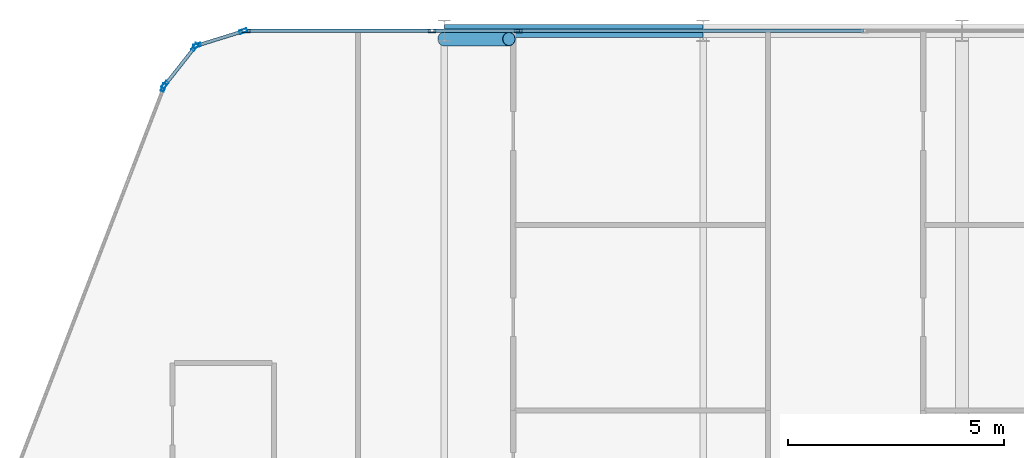
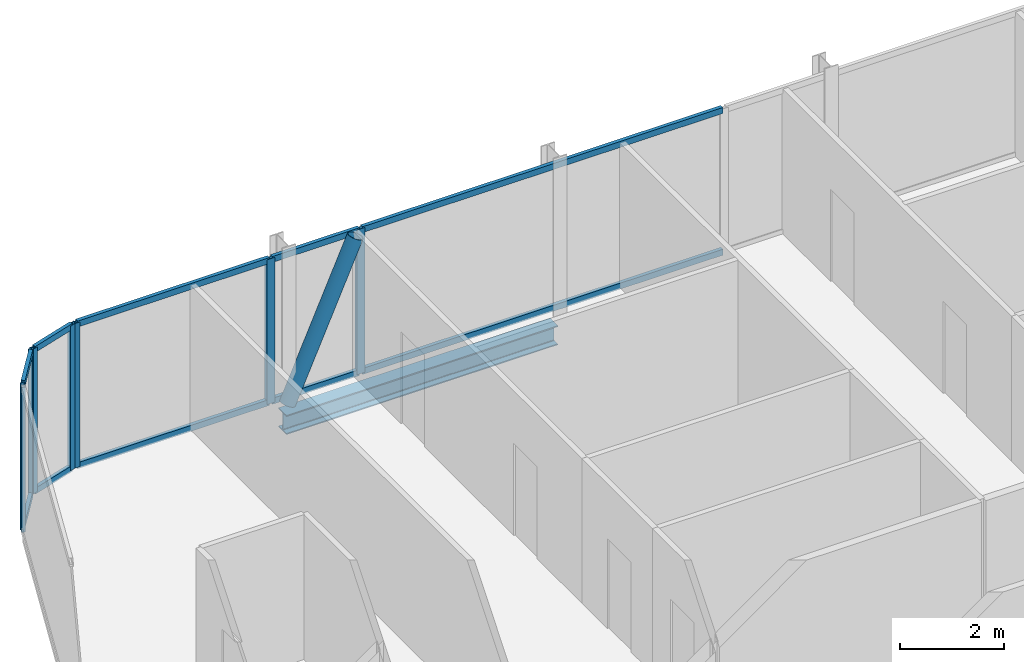
# One storey, part 17 of 32: 19 members, 1 beam, 6 elements without a shape of their own.
"""IFC4 building model written with IfcOpenShell, lengths in metres."""

from ifc_helpers import new_model, si_unit, direction, frame, origin, origin_2d, place, context, subcontext, project, spatial, hollow_rectangle, hollow_circle, i_section, extrude, material, layer, layer_set, material_profile, profile_set, type_object, element, aggregate, save


model = new_model("IFC4")

# Units and contexts
model_context = context("Model", 3, precision=1e-05, world=origin(), true_north=direction((0.0, 1.0)))
body_context = subcontext(model_context, "Body", "Model", "MODEL_VIEW")
ifc_project = project(units=[si_unit("LENGTHUNIT", "METRE"), si_unit("AREAUNIT", "SQUARE_METRE"), si_unit("VOLUMEUNIT", "CUBIC_METRE"), si_unit("PLANEANGLEUNIT", "RADIAN"), si_unit("MASSUNIT", "GRAM", prefix="KILO")], contexts=[model_context])

# Site, building, storey
site_placement = place(None, origin())
site = spatial("IfcSite", under=ifc_project, at=site_placement, CompositionType="ELEMENT")
building_placement = place(site_placement, origin())
building = spatial("IfcBuilding", under=site, at=building_placement, Name="Keshet Zoharim Tower", CompositionType="ELEMENT")
storey_placement = place(building_placement, frame((0.0, 0.0, 152.0)))
storey = spatial("IfcBuildingStorey", under=building, at=storey_placement, Name="L37", CompositionType="ELEMENT", Elevation=152.0)

# Beam
ifc_material_1 = material(Name="Steel S355", Category="steel")
ifc_material_profile_1 = material_profile(ifc_material_1, i_section(OverallWidth=0.300048828125, OverallDepth=0.449951171875, WebThickness=0.013916015625, FlangeThickness=0.02587890625, FilletRadius=0.027099609375, at=origin_2d()), Name="HEB450")
ifc_profile_set_1 = profile_set([ifc_material_profile_1], Name="Steel S355")
beam_type = type_object("IfcBeamType", Name="BM-WEB-HB450", PredefinedType="BEAM", material=ifc_profile_set_1)
beam_placement = place(storey_placement, frame((21.0, 53.89990234375, -0.5400390625), z_axis=(1.0, 0.0, 0.0), x_axis=(0.0, 1.0, 0.0)))
element("IfcBeam", 1, at=beam_placement, inside=storey, type_object=beam_type, Name="L37 Primary Girder X-020", PredefinedType="BEAM", context=body_context, shape_type="SweptSolid", body=[
    extrude(i_section(OverallWidth=0.300048828125, OverallDepth=0.449951171875, WebThickness=0.013916015625, FlangeThickness=0.02587890625, FilletRadius=0.027099609375, at=origin_2d()), origin(), (0.0, 0.0, 1.0), 6.0),
])

# Curtain wall, member
ifc_material_2 = material(Name="Aluminium 6063-T6", Category="aluminium")
ifc_layer = layer(ifc_material_2, 0.159912109375)
ifc_layer_set = layer_set([ifc_layer], Name="Aluminium 6063-T6")
curtain_wall_type = type_object("IfcCurtainWallType", Name="CW-SYS-03", PredefinedType="NOTDEFINED", material=ifc_layer_set)
curtain_wall_1_placement = place(storey_placement, origin())
curtain_wall_1 = element("IfcCurtainWall", 2, at=curtain_wall_1_placement, inside=storey, type_object=curtain_wall_type, Name="L37 Unitised Curtain Wall 10", PredefinedType="NOTDEFINED")
ifc_material_profile_2 = material_profile(ifc_material_2, hollow_rectangle(XDim=0.080078125, YDim=0.179931640625, WallThickness=0.00439453125, at=origin_2d()), Name="MUL-80x180")
ifc_profile_set_2 = profile_set([ifc_material_profile_2], Name="Aluminium 6063-T6")
member_type_1 = type_object("IfcMemberType", Name="CWM-M18", PredefinedType="MULLION", material=ifc_profile_set_2)
member_1_placement = place(storey_placement, frame((14.494384765625, 52.58544921875, 0.0), z_axis=(0.0, 0.0, 1.0), x_axis=(-0.933341404361, 0.358990003907, 0.0)))
member_1 = element("IfcMember", 3, at=member_1_placement, type_object=member_type_1, Name="CW-03 mullion 4", PredefinedType="MULLION", context=body_context, shape_type="SweptSolid", body=[
    extrude(hollow_rectangle(XDim=0.080078125, YDim=0.179931640625, WallThickness=0.00439453125, at=origin_2d()), origin(), (0.0, 0.0, 1.0), 3.385009765625),
])
aggregate(curtain_wall_1, [member_1])

# Curtain wall, members
curtain_wall_2_placement = place(storey_placement, origin())
curtain_wall_2 = element("IfcCurtainWall", 4, at=curtain_wall_2_placement, inside=storey, type_object=curtain_wall_type, Name="L37 Unitised Curtain Wall 11", PredefinedType="NOTDEFINED")
member_2_placement = place(storey_placement, frame((14.528564453125, 52.6455078125, 0.0), z_axis=(0.0, 0.0, 1.0), x_axis=(-0.785292825205, 0.619124525989, 0.0)))
member_2 = element("IfcMember", 5, at=member_2_placement, type_object=member_type_1, Name="CW-03 mullion 1", PredefinedType="MULLION", context=body_context, shape_type="SweptSolid", body=[
    extrude(hollow_rectangle(XDim=0.080078125, YDim=0.179931640625, WallThickness=0.00439453125, at=origin_2d()), origin(), (0.0, 0.0, 1.0), 3.385009765625),
])
member_3_placement = place(storey_placement, frame((15.21923828125, 53.521484375, 0.0), z_axis=(0.0, 0.0, 1.0), x_axis=(-0.785292825205, 0.619124525989, 0.0)))
member_3 = element("IfcMember", 6, at=member_3_placement, type_object=member_type_1, Name="CW-03 mullion 2", PredefinedType="MULLION", context=body_context, shape_type="SweptSolid", body=[
    extrude(hollow_rectangle(XDim=0.080078125, YDim=0.179931640625, WallThickness=0.00439453125, at=origin_2d()), origin(), (0.0, 0.0, 1.0), 3.385009765625),
])

curtain_wall_3_placement = place(storey_placement, origin())
curtain_wall_3 = element("IfcCurtainWall", 7, at=curtain_wall_3_placement, inside=storey, type_object=curtain_wall_type, Name="L37 Unitised Curtain Wall 12", PredefinedType="NOTDEFINED")
member_4_placement = place(storey_placement, frame((15.2744140625, 53.559326171875, 0.0), z_axis=(0.0, 0.0, 1.0), x_axis=(-0.295921857984, 0.955212151288, 0.0)))
member_4 = element("IfcMember", 8, at=member_4_placement, type_object=member_type_1, Name="CW-03 mullion 1", PredefinedType="MULLION", context=body_context, shape_type="SweptSolid", body=[
    extrude(hollow_rectangle(XDim=0.080078125, YDim=0.179931640625, WallThickness=0.00439453125, at=origin_2d()), origin(), (0.0, 0.0, 1.0), 3.385009765625),
])
member_5_placement = place(storey_placement, frame((16.340576171875, 53.8896484375, 0.0), z_axis=(0.0, 0.0, 1.0), x_axis=(-0.295921857984, 0.955212151288, 0.0)))
member_5 = element("IfcMember", 9, at=member_5_placement, type_object=member_type_1, Name="CW-03 mullion 2", PredefinedType="MULLION", context=body_context, shape_type="SweptSolid", body=[
    extrude(hollow_rectangle(XDim=0.080078125, YDim=0.179931640625, WallThickness=0.00439453125, at=origin_2d()), origin(), (0.0, 0.0, 1.0), 3.385009765625),
])

curtain_wall_4_placement = place(storey_placement, origin())
curtain_wall_4 = element("IfcCurtainWall", 10, at=curtain_wall_4_placement, inside=storey, type_object=curtain_wall_type, Name="L37 Unitised Curtain Wall 13", PredefinedType="NOTDEFINED")
member_6_placement = place(storey_placement, frame((16.408935546875, 53.89990234375, 0.0), z_axis=(0.0, 0.0, 1.0), x_axis=(0.0, 1.0, 0.0)))
member_6 = element("IfcMember", 11, at=member_6_placement, type_object=member_type_1, Name="CW-03 mullion 1", PredefinedType="MULLION", context=body_context, shape_type="SweptSolid", body=[
    extrude(hollow_rectangle(XDim=0.080078125, YDim=0.179931640625, WallThickness=0.00439453125, at=origin_2d()), origin(), (0.0, 0.0, 1.0), 3.385009765625),
])
member_7_placement = place(storey_placement, frame((20.716796875, 53.89990234375, 0.0), z_axis=(0.0, 0.0, 1.0), x_axis=(0.0, 1.0, 0.0)))
member_7 = element("IfcMember", 12, at=member_7_placement, type_object=member_type_1, Name="CW-03 mullion 2", PredefinedType="MULLION", context=body_context, shape_type="SweptSolid", body=[
    extrude(hollow_rectangle(XDim=0.080078125, YDim=0.179931640625, WallThickness=0.00439453125, at=origin_2d()), origin(), (0.0, 0.0, 1.0), 3.385009765625),
])

# Curtain wall, member
curtain_wall_5_placement = place(storey_placement, origin())
curtain_wall_5 = element("IfcCurtainWall", 13, at=curtain_wall_5_placement, inside=storey, type_object=curtain_wall_type, Name="L37 Unitised Curtain Wall 13 Part 2", PredefinedType="NOTDEFINED")
member_8_placement = place(storey_placement, frame((22.713134765625, 53.89990234375, 0.0), z_axis=(0.0, 0.0, 1.0), x_axis=(0.0, 1.0, 0.0)))
member_8 = element("IfcMember", 14, at=member_8_placement, type_object=member_type_1, Name="CW-03 mullion 2", PredefinedType="MULLION", context=body_context, shape_type="SweptSolid", body=[
    extrude(hollow_rectangle(XDim=0.080078125, YDim=0.179931640625, WallThickness=0.00439453125, at=origin_2d()), origin(), (0.0, 0.0, 1.0), 3.385009765625),
])

# Member
ifc_material_profile_3 = material_profile(ifc_material_2, hollow_rectangle(XDim=0.080078125, YDim=0.139892578125, WallThickness=0.00390625, at=origin_2d()), Name="TRN-80x140")
ifc_profile_set_3 = profile_set([ifc_material_profile_3], Name="Aluminium 6063-T6")
member_type_2 = type_object("IfcMemberType", Name="CWT-T14", PredefinedType="USERDEFINED", material=ifc_profile_set_3)
member_9_placement = place(storey_placement, frame((14.55029296875, 52.6728515625, 0.034912109375), z_axis=(0.619099165969, 0.78531281837, 0.0), x_axis=(-0.78531281837, 0.619099165969, 0.0)))
member_9 = element("IfcMember", 15, at=member_9_placement, type_object=member_type_2, Name="CW-03 transom 1.1", ObjectType="TRANSOM", PredefinedType="USERDEFINED", context=body_context, shape_type="SweptSolid", body=[
    extrude(hollow_rectangle(XDim=0.080078125, YDim=0.139892578125, WallThickness=0.00390625, at=origin_2d()), origin(), (0.0, 0.0, 1.0), 1.0458984375),
])

member_10_placement = place(storey_placement, frame((14.55029296875, 52.6728515625, 3.35009765625), z_axis=(0.619099165969, 0.78531281837, 0.0), x_axis=(-0.78531281837, 0.619099165969, 0.0)))
member_10 = element("IfcMember", 16, at=member_10_placement, type_object=member_type_2, Name="CW-03 transom 1.2", ObjectType="TRANSOM", PredefinedType="USERDEFINED", context=body_context, shape_type="SweptSolid", body=[
    extrude(hollow_rectangle(XDim=0.080078125, YDim=0.139892578125, WallThickness=0.00390625, at=origin_2d()), origin(), (0.0, 0.0, 1.0), 1.0458984375),
])

aggregate(curtain_wall_2, [member_2, member_3, member_9, member_10])

member_11_placement = place(storey_placement, frame((15.307861328125, 53.56982421875, 0.034912109375), z_axis=(0.955212093062, 0.295922045933, 0.0), x_axis=(-0.295922045933, 0.955212093062, 0.0)))
member_11 = element("IfcMember", 17, at=member_11_placement, type_object=member_type_2, Name="CW-03 transom 1.1", ObjectType="TRANSOM", PredefinedType="USERDEFINED", context=body_context, shape_type="SweptSolid", body=[
    extrude(hollow_rectangle(XDim=0.080078125, YDim=0.139892578125, WallThickness=0.00390625, at=origin_2d()), origin(), (0.0, 0.0, 1.0), 1.046142578125),
])

member_12_placement = place(storey_placement, frame((15.307861328125, 53.56982421875, 3.35009765625), z_axis=(0.955212093062, 0.295922045933, 0.0), x_axis=(-0.295922045933, 0.955212093062, 0.0)))
member_12 = element("IfcMember", 18, at=member_12_placement, type_object=member_type_2, Name="CW-03 transom 1.2", ObjectType="TRANSOM", PredefinedType="USERDEFINED", context=body_context, shape_type="SweptSolid", body=[
    extrude(hollow_rectangle(XDim=0.080078125, YDim=0.139892578125, WallThickness=0.00390625, at=origin_2d()), origin(), (0.0, 0.0, 1.0), 1.046142578125),
])

aggregate(curtain_wall_3, [member_4, member_5, member_11, member_12])

member_13_placement = place(storey_placement, frame((16.444091796875, 53.89990234375, 0.034912109375), z_axis=(1.0, 0.0, 0.0), x_axis=(0.0, 1.0, 0.0)))
member_13 = element("IfcMember", 19, at=member_13_placement, type_object=member_type_2, Name="CW-03 transom 1.1", ObjectType="TRANSOM", PredefinedType="USERDEFINED", context=body_context, shape_type="SweptSolid", body=[
    extrude(hollow_rectangle(XDim=0.080078125, YDim=0.139892578125, WallThickness=0.00390625, at=origin_2d()), origin(), (0.0, 0.0, 1.0), 4.23779296875),
])

member_14_placement = place(storey_placement, frame((16.444091796875, 53.89990234375, 3.35009765625), z_axis=(1.0, 0.0, 0.0), x_axis=(0.0, 1.0, 0.0)))
member_14 = element("IfcMember", 20, at=member_14_placement, type_object=member_type_2, Name="CW-03 transom 1.2", ObjectType="TRANSOM", PredefinedType="USERDEFINED", context=body_context, shape_type="SweptSolid", body=[
    extrude(hollow_rectangle(XDim=0.080078125, YDim=0.139892578125, WallThickness=0.00390625, at=origin_2d()), origin(), (0.0, 0.0, 1.0), 4.23779296875),
])

aggregate(curtain_wall_4, [member_6, member_7, member_13, member_14])

member_15_placement = place(storey_placement, frame((20.751953125, 53.89990234375, 0.034912109375), z_axis=(1.0, 0.0, 0.0), x_axis=(0.0, 1.0, 0.0)))
member_15 = element("IfcMember", 21, at=member_15_placement, type_object=member_type_2, Name="CW-03 transom 1.1", ObjectType="TRANSOM", PredefinedType="USERDEFINED", context=body_context, shape_type="SweptSolid", body=[
    extrude(hollow_rectangle(XDim=0.080078125, YDim=0.139892578125, WallThickness=0.00390625, at=origin_2d()), origin(), (0.0, 0.0, 1.0), 1.926025390625),
])

member_16_placement = place(storey_placement, frame((20.751953125, 53.89990234375, 3.35009765625), z_axis=(1.0, 0.0, 0.0), x_axis=(0.0, 1.0, 0.0)))
member_16 = element("IfcMember", 22, at=member_16_placement, type_object=member_type_2, Name="CW-03 transom 1.2", ObjectType="TRANSOM", PredefinedType="USERDEFINED", context=body_context, shape_type="SweptSolid", body=[
    extrude(hollow_rectangle(XDim=0.080078125, YDim=0.139892578125, WallThickness=0.00390625, at=origin_2d()), origin(), (0.0, 0.0, 1.0), 1.926025390625),
])

aggregate(curtain_wall_5, [member_8, member_15, member_16])

# Curtain wall, members
curtain_wall_6_placement = place(storey_placement, origin())
curtain_wall_6 = element("IfcCurtainWall", 23, at=curtain_wall_6_placement, inside=storey, type_object=curtain_wall_type, Name="L37 Unitised Curtain Wall 13 Part 3", PredefinedType="NOTDEFINED")
member_17_placement = place(storey_placement, frame((22.748046875, 53.89990234375, 0.034912109375), z_axis=(1.0, 0.0, 0.0), x_axis=(0.0, 1.0, 0.0)))
member_17 = element("IfcMember", 24, at=member_17_placement, type_object=member_type_2, Name="CW-03 transom 1.1", ObjectType="TRANSOM", PredefinedType="USERDEFINED", context=body_context, shape_type="SweptSolid", body=[
    extrude(hollow_rectangle(XDim=0.080078125, YDim=0.139892578125, WallThickness=0.00390625, at=origin_2d()), origin(), (0.0, 0.0, 1.0), 7.967041015625),
])
member_18_placement = place(storey_placement, frame((22.748046875, 53.89990234375, 3.35009765625), z_axis=(1.0, 0.0, 0.0), x_axis=(0.0, 1.0, 0.0)))
member_18 = element("IfcMember", 25, at=member_18_placement, type_object=member_type_2, Name="CW-03 transom 1.2", ObjectType="TRANSOM", PredefinedType="USERDEFINED", context=body_context, shape_type="SweptSolid", body=[
    extrude(hollow_rectangle(XDim=0.080078125, YDim=0.139892578125, WallThickness=0.00390625, at=origin_2d()), origin(), (0.0, 0.0, 1.0), 7.967041015625),
])
aggregate(curtain_wall_6, [member_17, member_18])

# Member
ifc_material_profile_4 = material_profile(ifc_material_1, hollow_circle(Radius=0.161865234375, WallThickness=0.012451171875, at=origin_2d()), Name="CHS323x12.5")
ifc_profile_set_4 = profile_set([ifc_material_profile_4], Name="Steel S355")
member_type_3 = type_object("IfcMemberType", Name="MB-BR-C323", PredefinedType="BRACE", material=ifc_profile_set_4)
member_19_placement = place(storey_placement, frame((21.0, 53.7099609375, 0.0), z_axis=(0.405134846829, 0.0, 0.91425694194), x_axis=(0.0, 1.0, 0.0)))
element("IfcMember", 26, at=member_19_placement, inside=storey, type_object=member_type_3, Name="L37 Perimeter Tube Brace 02", PredefinedType="BRACE", context=body_context, shape_type="SweptSolid", body=[
    extrude(hollow_circle(Radius=0.161865234375, WallThickness=0.012451171875, at=origin_2d()), origin(), (0.0, 0.0, 1.0), 3.702392578125),
])

save(model, "model.ifc")
